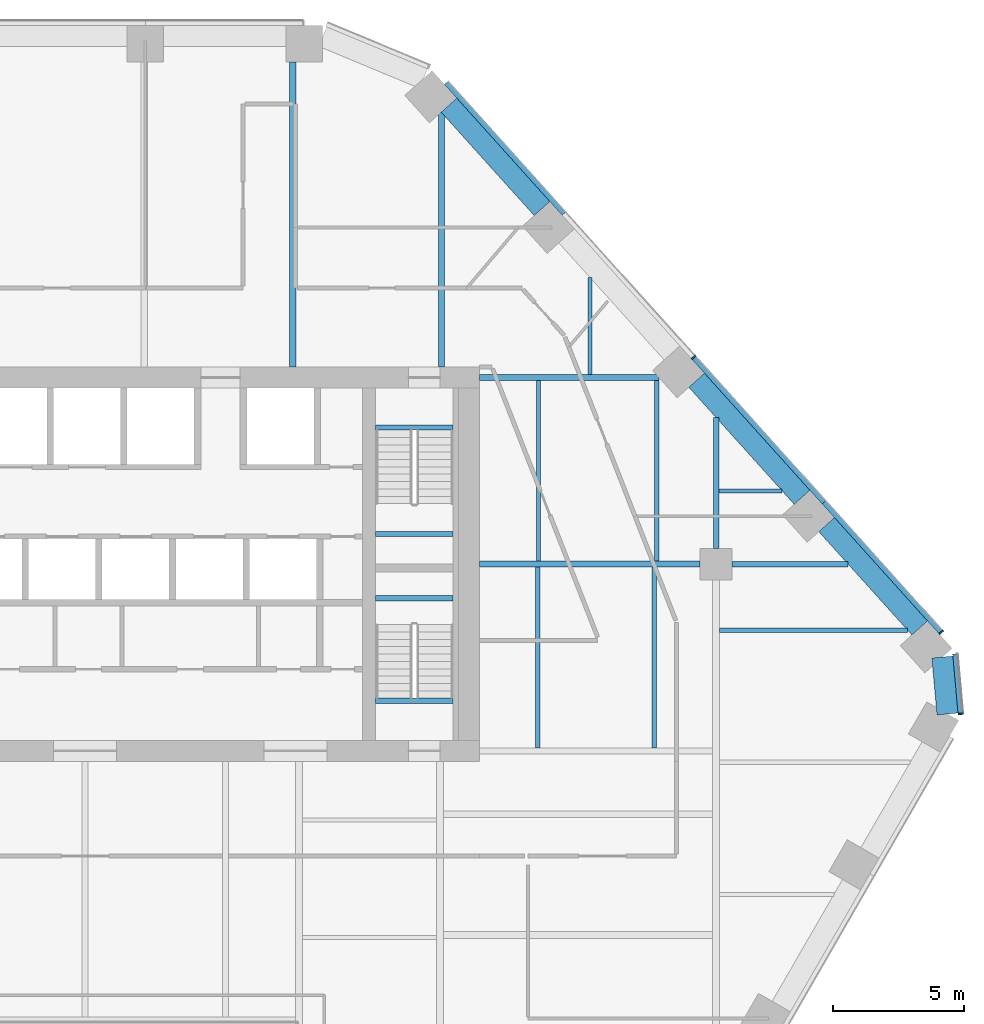
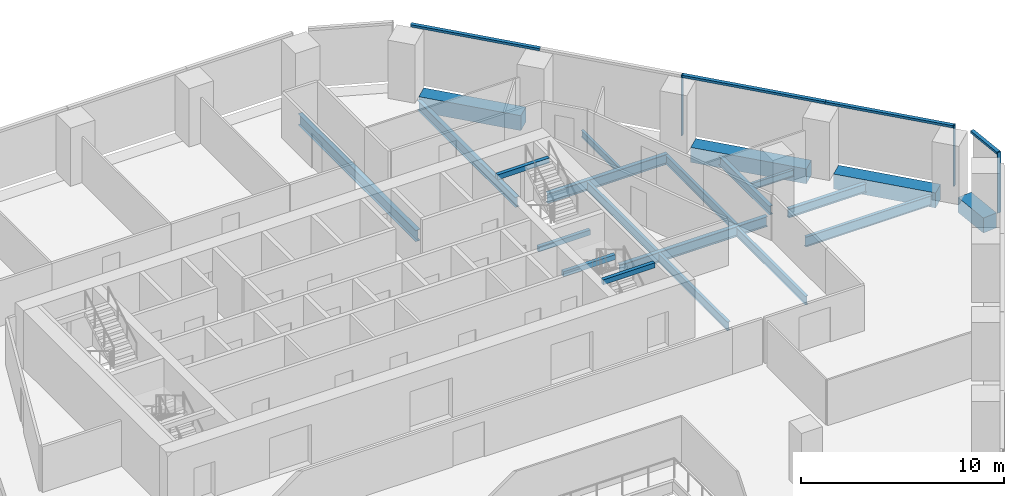
# One storey, part 8 of 16: 21 beams, 7 members, 2 elements without a shape of their own.
"""IFC4 building model written with IfcOpenShell, lengths in metres."""

from ifc_helpers import new_model, si_unit, direction, frame, origin, origin_2d, place, context, subcontext, project, spatial, rectangle, i_section, extrude, material, layer, layer_set, material_profile, profile_set, type_object, element, aggregate, save


model = new_model("IFC4")

# Units and contexts
model_context = context("Model", 3, precision=1e-05, world=origin(), true_north=direction((0.0, 1.0)))
body_context = subcontext(model_context, "Body", "Model", "MODEL_VIEW")
ifc_project = project(units=[si_unit("LENGTHUNIT", "METRE"), si_unit("AREAUNIT", "SQUARE_METRE"), si_unit("VOLUMEUNIT", "CUBIC_METRE"), si_unit("PLANEANGLEUNIT", "RADIAN"), si_unit("MASSUNIT", "GRAM", prefix="KILO")], contexts=[model_context])

# Site, building, storey
site_placement = place(None, origin())
site = spatial("IfcSite", under=ifc_project, at=site_placement, CompositionType="ELEMENT")
building_placement = place(site_placement, origin())
building = spatial("IfcBuilding", under=site, at=building_placement, Name="Isthmus Gate Tower", CompositionType="ELEMENT")
storey_placement = place(building_placement, frame((0.0, 0.0, 133.449951171875)))
storey = spatial("IfcBuildingStorey", under=building, at=storey_placement, Name="L32", CompositionType="ELEMENT", Elevation=133.449951171875)

# Curtain wall, member
ifc_material_1 = material(Name="Aluminium, pale champagne anodised", Category="aluminium")
ifc_layer = layer(ifc_material_1, 0.199951171875)
ifc_layer_set = layer_set([ifc_layer], Name="CW-1 UNITISED CURTAIN WALL 200 DEEP")
curtain_wall_type = type_object("IfcCurtainWallType", Name="CW-1 UNITISED CURTAIN WALL 200 DEEP", PredefinedType="NOTDEFINED", material=ifc_layer_set)
curtain_wall_1_placement = place(storey_placement, origin())
curtain_wall_1 = element("IfcCurtainWall", 1, at=curtain_wall_1_placement, inside=storey, type_object=curtain_wall_type, Name="CW-1 SE-NE L32", PredefinedType="NOTDEFINED")
ifc_material_2 = material(Name="Aluminium, pale champagne anodised", Category="aluminium")
ifc_material_profile_1 = material_profile(ifc_material_2, rectangle(XDim=0.06005859375, YDim=0.199951171875, at=origin_2d()), Name="60x200")
ifc_profile_set_1 = profile_set([ifc_material_profile_1], Name="Aluminium, pale champagne anodised")
member_type_1 = type_object("IfcMemberType", Name="CW-1 MULLION 60 X 200", PredefinedType="MULLION", material=ifc_profile_set_1)
member_1_placement = place(storey_placement, frame((33.307861328125, 1.804443359375, 0.0), z_axis=(0.0, 0.0, 1.0), x_axis=(-0.089396669717, 0.995996102123, 0.0)))
member_1 = element("IfcMember", 2, at=member_1_placement, type_object=member_type_1, Name="CW-1 mullion", PredefinedType="MULLION", context=body_context, shape_type="SweptSolid", body=[
    extrude(rectangle(XDim=0.06005859375, YDim=0.199951171875, at=origin_2d()), origin(), (0.0, 0.0, 1.0), 3.650146484375),
])

# Curtain wall, members
curtain_wall_2_placement = place(storey_placement, origin())
curtain_wall_2 = element("IfcCurtainWall", 3, at=curtain_wall_2_placement, inside=storey, type_object=curtain_wall_type, Name="CW-1 NE L32", PredefinedType="NOTDEFINED")
member_2_placement = place(storey_placement, frame((32.5693359375, 4.908447265625, 0.0), z_axis=(0.0, 0.0, 1.0), x_axis=(-0.669130606359, 0.743144825477, 0.0)))
member_2 = element("IfcMember", 4, at=member_2_placement, type_object=member_type_1, Name="CW-1 mullion", PredefinedType="MULLION", context=body_context, shape_type="SweptSolid", body=[
    extrude(rectangle(XDim=0.06005859375, YDim=0.199951171875, at=origin_2d()), origin(), (0.0, 0.0, 1.0), 3.650146484375),
])
member_3_placement = place(storey_placement, frame((23.14697265625, 15.373046875, 0.0), z_axis=(0.0, 0.0, 1.0), x_axis=(-0.669130606359, 0.743144825477, 0.0)))
member_3 = element("IfcMember", 5, at=member_3_placement, type_object=member_type_1, Name="CW-1 mullion", PredefinedType="MULLION", context=body_context, shape_type="SweptSolid", body=[
    extrude(rectangle(XDim=0.06005859375, YDim=0.199951171875, at=origin_2d()), origin(), (0.0, 0.0, 1.0), 3.650146484375),
])

# Member
ifc_material_3 = material(Name="Aluminium, pale champagne anodised", Category="aluminium")
ifc_material_profile_2 = material_profile(ifc_material_3, rectangle(XDim=0.199951171875, YDim=0.139892578125, at=origin_2d()), Name="200x140")
ifc_profile_set_2 = profile_set([ifc_material_profile_2], Name="Aluminium, pale champagne anodised")
member_type_2 = type_object("IfcMemberType", Name="CW-1 TRANSOM 200 X 140", PredefinedType="USERDEFINED", material=ifc_profile_set_2)
member_4_placement = place(storey_placement, frame((33.30517578125, 1.83447265625, 3.580078125), z_axis=(-0.089395362867, 0.995996219419, 0.0), x_axis=(-0.995996219419, -0.089395362867, 0.0)))
member_4 = element("IfcMember", 6, at=member_4_placement, type_object=member_type_2, Name="CW-1 transom", ObjectType="TRANSOM", PredefinedType="USERDEFINED", context=body_context, shape_type="SweptSolid", body=[
    extrude(rectangle(XDim=0.199951171875, YDim=0.139892578125, at=origin_2d()), origin(), (0.0, 0.0, 1.0), 2.258544921875),
])

aggregate(curtain_wall_1, [member_1, member_4])

member_5_placement = place(storey_placement, frame((32.54931640625, 4.930908203125, 3.580078125), z_axis=(-0.669153891975, 0.743123858354, 0.0), x_axis=(-0.743123858354, -0.669153891975, 0.0)))
member_5 = element("IfcMember", 7, at=member_5_placement, type_object=member_type_2, Name="CW-1 transom", ObjectType="TRANSOM", PredefinedType="USERDEFINED", context=body_context, shape_type="SweptSolid", body=[
    extrude(rectangle(XDim=0.199951171875, YDim=0.139892578125, at=origin_2d()), origin(), (0.0, 0.0, 1.0), 6.630859375),
])

member_6_placement = place(storey_placement, frame((28.1123046875, 9.8583984375, 3.580078125), z_axis=(-0.669123495435, 0.74315122812, 0.0), x_axis=(-0.74315122812, -0.669123495435, 0.0)))
member_6 = element("IfcMember", 8, at=member_6_placement, type_object=member_type_2, Name="CW-1 transom", ObjectType="TRANSOM", PredefinedType="USERDEFINED", context=body_context, shape_type="SweptSolid", body=[
    extrude(rectangle(XDim=0.199951171875, YDim=0.139892578125, at=origin_2d()), origin(), (0.0, 0.0, 1.0), 7.390625),
])

member_7_placement = place(storey_placement, frame((18.221435546875, 20.84326171875, 3.580078125), z_axis=(-0.669117935274, 0.743156234378, 0.0), x_axis=(-0.743156234378, -0.669117935274, 0.0)))
member_7 = element("IfcMember", 9, at=member_7_placement, type_object=member_type_2, Name="CW-1 transom", ObjectType="TRANSOM", PredefinedType="USERDEFINED", context=body_context, shape_type="SweptSolid", body=[
    extrude(rectangle(XDim=0.199951171875, YDim=0.139892578125, at=origin_2d()), origin(), (0.0, 0.0, 1.0), 6.690673828125),
])

aggregate(curtain_wall_2, [member_2, member_5, member_6, member_3, member_7])

# Beams
ifc_material_4 = material(Name="Concrete f'c 60 MPa", Category="concrete")
ifc_material_profile_3 = material_profile(ifc_material_4, rectangle(XDim=0.800048828125, YDim=0.89990234375, at=origin_2d()), Name="RC 800X900")
ifc_profile_set_3 = profile_set([ifc_material_profile_3], Name="Concrete f'c 60 MPa")
beam_type_1 = type_object("IfcBeamType", Name="RC SPANDREL 800 X 900", PredefinedType="SPANDREL", material=ifc_profile_set_3)
beam_1_placement = place(storey_placement, frame((13.84130859375, 24.960693359375, -0.449951171875), z_axis=(0.669153370522, -0.743124327901, 0.0), x_axis=(0.743124327901, 0.669153370522, 0.0)))
element("IfcBeam", 10, at=beam_1_placement, inside=storey, type_object=beam_type_1, Name="str-spandrel-L32-01", PredefinedType="SPANDREL", context=body_context, shape_type="SweptSolid", body=[
    extrude(rectangle(XDim=0.800048828125, YDim=0.89990234375, at=origin_2d()), origin(), (0.0, 0.0, 1.0), 5.290771484375),
])
beam_2_placement = place(storey_placement, frame((23.263671875, 14.49609375, -0.449951171875), z_axis=(0.669156088603, -0.74312188037, 0.0), x_axis=(0.74312188037, 0.669156088603, 0.0)))
element("IfcBeam", 11, at=beam_2_placement, inside=storey, type_object=beam_type_1, Name="str-spandrel-L32-03", PredefinedType="SPANDREL", context=body_context, shape_type="SweptSolid", body=[
    extrude(rectangle(XDim=0.800048828125, YDim=0.89990234375, at=origin_2d()), origin(), (0.0, 0.0, 1.0), 5.99072265625),
])
beam_3_placement = place(storey_placement, frame((28.209228515625, 9.003662109375, -0.449951171875), z_axis=(0.669130424574, -0.743144989157, 0.0), x_axis=(0.743144989157, 0.669130424574, 0.0)))
element("IfcBeam", 12, at=beam_3_placement, inside=storey, type_object=beam_type_1, Name="str-spandrel-L32-04", PredefinedType="SPANDREL", context=body_context, shape_type="SweptSolid", body=[
    extrude(rectangle(XDim=0.800048828125, YDim=0.89990234375, at=origin_2d()), origin(), (0.0, 0.0, 1.0), 5.290771484375),
])
beam_4_placement = place(storey_placement, frame((32.61181640625, 3.964599609375, -0.449951171875), z_axis=(0.089421511639, -0.995993872098, 0.0), x_axis=(0.995993872098, 0.089421511639, 0.0)))
element("IfcBeam", 13, at=beam_4_placement, inside=storey, type_object=beam_type_1, Name="str-spandrel-L32-05", PredefinedType="SPANDREL", context=body_context, shape_type="SweptSolid", body=[
    extrude(rectangle(XDim=0.800048828125, YDim=0.89990234375, at=origin_2d()), origin(), (0.0, 0.0, 1.0), 2.17333984375),
])
ifc_material_5 = material(Name="Concrete f'c 40 MPa", Category="concrete")
ifc_material_profile_4 = material_profile(ifc_material_5, rectangle(XDim=0.199951171875, YDim=0.300048828125, at=origin_2d()), Name="STAIR LANDING BEAM RC 200 X 300")
ifc_profile_set_4 = profile_set([ifc_material_profile_4], Name="Concrete f'c 40 MPa")
beam_type_2 = type_object("IfcBeamType", Name="STAIR LANDING BEAM RC 200 X 300", PredefinedType="BEAM", material=ifc_profile_set_4)
for number, where, z_axis, x_axis, name in (
    (14, (11.050048828125, 8.64990234375, 1.47509765625), (1.0, 0.0, 0.0), (0.0, 1.0, 0.0), "L32 ST2 landing beam 1"),
    (15, (11.050048828125, 12.7001953125, 3.35009765625), (1.0, 0.0, 0.0), (0.0, 1.0, 0.0), "L32 ST2 floor-edge seat beam"),
    (16, (11.050048828125, 6.199951171875, 1.47509765625), (1.0, 0.0, 0.0), (0.0, 1.0, 0.0), "L32 ST8 landing beam 1"),
    (17, (11.050048828125, 2.2998046875, 3.35009765625), (1.0, 0.0, 0.0), (0.0, 1.0, 0.0), "L32 ST8 floor-edge seat beam"),
):
    element("IfcBeam", number, at=place(storey_placement, frame(where, z_axis=z_axis, x_axis=x_axis)), inside=storey, type_object=beam_type_2, Name=name, PredefinedType="BEAM", context=body_context, shape_type="SweptSolid", body=[
        extrude(rectangle(XDim=0.199951171875, YDim=0.300048828125, at=origin_2d()), origin(), (0.0, 0.0, 1.0), 2.949951171875),
    ])
ifc_material_6 = material(Name="Structural steel ASTM A992 Gr 50", Category="steel")
ifc_material_profile_5 = material_profile(ifc_material_6, i_section(OverallWidth=0.1396484375, OverallDepth=0.4033203125, WebThickness=0.00634765625, FlangeThickness=0.010986328125, at=origin_2d()), Name="W16X31")
ifc_profile_set_5 = profile_set([ifc_material_profile_5], Name="Structural steel ASTM A992 Gr 50")
beam_type_3 = type_object("IfcBeamType", Name="STEEL FLOOR BEAM W16X31", PredefinedType="JOIST", material=ifc_profile_set_5)
beam_5_placement = place(storey_placement, frame((19.204345703125, 14.71435546875, -0.3515625), z_axis=(0.0, 1.0, 0.0), x_axis=(-1.0, 0.0, 0.0)))
element("IfcBeam", 18, at=beam_5_placement, inside=storey, type_object=beam_type_3, Name="str-beam-L32-05-07", PredefinedType="JOIST", context=body_context, shape_type="SweptSolid", body=[
    extrude(i_section(OverallWidth=0.1396484375, OverallDepth=0.4033203125, WebThickness=0.00634765625, FlangeThickness=0.010986328125, at=origin_2d()), origin(), (0.0, 0.0, 1.0), 3.6923828125),
])
beam_6_placement = place(storey_placement, frame((24.104736328125, 10.284423828125, -0.3515625), z_axis=(1.0, 0.0, 0.0), x_axis=(0.0, 1.0, 0.0)))
element("IfcBeam", 19, at=beam_6_placement, inside=storey, type_object=beam_type_3, Name="str-beam-L32-15-00", PredefinedType="JOIST", context=body_context, shape_type="SweptSolid", body=[
    extrude(i_section(OverallWidth=0.1396484375, OverallDepth=0.4033203125, WebThickness=0.00634765625, FlangeThickness=0.010986328125, at=origin_2d()), origin(), (0.0, 0.0, 1.0), 2.412841796875),
])
ifc_material_7 = material(Name="Structural steel ASTM A992 Gr 50", Category="steel")
ifc_material_profile_6 = material_profile(ifc_material_7, i_section(OverallWidth=0.1650390625, OverallDepth=0.52392578125, WebThickness=0.009521484375, FlangeThickness=0.010986328125, at=origin_2d()), Name="W21X44")
ifc_profile_set_6 = profile_set([ifc_material_profile_6], Name="Structural steel ASTM A992 Gr 50")
beam_type_4 = type_object("IfcBeamType", Name="STEEL FLOOR BEAM W21X44", PredefinedType="JOIST", material=ifc_profile_set_6)
for number, where, z_axis, x_axis, name in (
    (20, (17.25, 7.6142578125, -0.411865234375), (0.0, 1.0, 0.0), (-1.0, 0.0, 0.0), "str-beam-L32-13-00"),
    (21, (21.75, 7.6142578125, -0.411865234375), (0.0, 1.0, 0.0), (-1.0, 0.0, 0.0), "str-beam-L32-13-01"),
    (22, (17.216552734375, 0.514404296875, -0.411865234375), (0.0, 1.0, 0.0), (-1.0, 0.0, 0.0), "str-beam-L32-14-00"),
    (23, (21.64990234375, 0.514404296875, -0.411865234375), (0.0, 1.0, 0.0), (-1.0, 0.0, 0.0), "str-beam-L32-14-01"),
):
    element("IfcBeam", number, at=place(storey_placement, frame(where, z_axis=z_axis, x_axis=x_axis)), inside=storey, type_object=beam_type_4, Name=name, PredefinedType="JOIST", context=body_context, shape_type="SweptSolid", body=[
        extrude(i_section(OverallWidth=0.1650390625, OverallDepth=0.52392578125, WebThickness=0.009521484375, FlangeThickness=0.010986328125, at=origin_2d()), origin(), (0.0, 0.0, 1.0), 6.871337890625),
    ])
ifc_material_8 = material(Name="Structural steel ASTM A992 Gr 50", Category="steel")
ifc_material_profile_7 = material_profile(ifc_material_8, i_section(OverallWidth=0.177734375, OverallDepth=0.60009765625, WebThickness=0.009521484375, FlangeThickness=0.0126953125, at=origin_2d()), Name="W24X55")
ifc_profile_set_7 = profile_set([ifc_material_profile_7], Name="Structural steel ASTM A992 Gr 50")
beam_type_5 = type_object("IfcBeamType", Name="STEEL FLOOR BEAM W24X55", PredefinedType="JOIST", material=ifc_profile_set_7)
beam_7_placement = place(storey_placement, frame((24.13330078125, 4.987548828125, -0.449951171875), z_axis=(1.0, 0.0, 0.0), x_axis=(0.0, 1.0, 0.0)))
element("IfcBeam", 24, at=beam_7_placement, inside=storey, type_object=beam_type_5, Name="str-beam-L32-16-02", PredefinedType="JOIST", context=body_context, shape_type="SweptSolid", body=[
    extrude(i_section(OverallWidth=0.177734375, OverallDepth=0.60009765625, WebThickness=0.009521484375, FlangeThickness=0.0126953125, at=origin_2d()), origin(), (0.0, 0.0, 1.0), 7.15380859375),
])
ifc_material_9 = material(Name="Structural steel ASTM A992 Gr 50", Category="steel")
ifc_material_profile_8 = material_profile(ifc_material_9, i_section(OverallWidth=0.228515625, OverallDepth=0.603271484375, WebThickness=0.010986328125, FlangeThickness=0.014404296875, at=origin_2d()), Name="W24X68")
ifc_profile_set_8 = profile_set([ifc_material_profile_8], Name="Structural steel ASTM A992 Gr 50")
beam_type_6 = type_object("IfcBeamType", Name="STEEL FLOOR BEAM W24X68", PredefinedType="JOIST", material=ifc_profile_set_8)
beam_8_placement = place(storey_placement, frame((13.5537109375, 15.0, -0.45166015625), z_axis=(0.0, 1.0, 0.0), x_axis=(-1.0, 0.0, 0.0)))
element("IfcBeam", 25, at=beam_8_placement, inside=storey, type_object=beam_type_6, Name="str-beam-L32-05-06", PredefinedType="JOIST", context=body_context, shape_type="SweptSolid", body=[
    extrude(i_section(OverallWidth=0.228515625, OverallDepth=0.603271484375, WebThickness=0.010986328125, FlangeThickness=0.014404296875, at=origin_2d()), origin(), (0.0, 0.0, 1.0), 9.682373046875),
])
ifc_material_10 = material(Name="Structural steel ASTM A992 Gr 50", Category="steel")
ifc_material_profile_9 = material_profile(ifc_material_10, i_section(OverallWidth=0.25390625, OverallDepth=0.679443359375, WebThickness=0.010986328125, FlangeThickness=0.015869140625, at=origin_2d()), Name="W27X84")
ifc_profile_set_9 = profile_set([ifc_material_profile_9], Name="Structural steel ASTM A992 Gr 50")
beam_type_7 = type_object("IfcBeamType", Name="STEEL FLOOR BEAM W27X84", PredefinedType="JOIST", material=ifc_profile_set_9)
beam_9_placement = place(storey_placement, frame((7.903076171875, 15.0, -0.48974609375), z_axis=(0.0, 1.0, 0.0), x_axis=(-1.0, 0.0, 0.0)))
element("IfcBeam", 26, at=beam_9_placement, inside=storey, type_object=beam_type_7, Name="str-beam-L32-05-05", PredefinedType="JOIST", context=body_context, shape_type="SweptSolid", body=[
    extrude(i_section(OverallWidth=0.25390625, OverallDepth=0.679443359375, WebThickness=0.010986328125, FlangeThickness=0.015869140625, at=origin_2d()), origin(), (0.0, 0.0, 1.0), 11.60009765625),
])
ifc_material_11 = material(Name="Structural steel ASTM A992 Gr 50", Category="steel")
ifc_material_profile_10 = material_profile(ifc_material_11, i_section(OverallWidth=0.20947265625, OverallDepth=0.533447265625, WebThickness=0.009521484375, FlangeThickness=0.015869140625, at=origin_2d()), Name="W21X62")
ifc_profile_set_10 = profile_set([ifc_material_profile_10], Name="Structural steel ASTM A992 Gr 50")
beam_type_8 = type_object("IfcBeamType", Name="STEEL GIRDER W21X62", PredefinedType="BEAM", material=ifc_profile_set_10)
beam_10_placement = place(storey_placement, frame((24.60009765625, 7.5, -0.416748046875), z_axis=(1.0, 0.0, 0.0), x_axis=(0.0, 1.0, 0.0)))
element("IfcBeam", 27, at=beam_10_placement, inside=storey, type_object=beam_type_8, Name="str-girder-L32-06", PredefinedType="BEAM", context=body_context, shape_type="SweptSolid", body=[
    extrude(i_section(OverallWidth=0.20947265625, OverallDepth=0.533447265625, WebThickness=0.009521484375, FlangeThickness=0.015869140625, at=origin_2d()), origin(), (0.0, 0.0, 1.0), 4.4248046875),
])
beam_11_placement = place(storey_placement, frame((24.0, 8.10009765625, -0.416748046875), z_axis=(0.0, 1.0, 0.0), x_axis=(-1.0, 0.0, 0.0)))
element("IfcBeam", 28, at=beam_11_placement, inside=storey, type_object=beam_type_8, Name="str-girder-L32-12", PredefinedType="BEAM", context=body_context, shape_type="SweptSolid", body=[
    extrude(i_section(OverallWidth=0.20947265625, OverallDepth=0.533447265625, WebThickness=0.009521484375, FlangeThickness=0.015869140625, at=origin_2d()), origin(), (0.0, 0.0, 1.0), 4.98046875),
])
ifc_material_12 = material(Name="Structural steel ASTM A992 Gr 50", Category="steel")
ifc_material_profile_11 = material_profile(ifc_material_12, i_section(OverallWidth=0.228515625, OverallDepth=0.603271484375, WebThickness=0.010986328125, FlangeThickness=0.014404296875, at=origin_2d()), Name="W24X68")
ifc_profile_set_11 = profile_set([ifc_material_profile_11], Name="Structural steel ASTM A992 Gr 50")
beam_type_9 = type_object("IfcBeamType", Name="STEEL GIRDER W24X68", PredefinedType="BEAM", material=ifc_profile_set_11)
beam_12_placement = place(storey_placement, frame((15.0, 14.60009765625, -0.45166015625), z_axis=(1.0, 0.0, 0.0), x_axis=(0.0, 1.0, 0.0)))
element("IfcBeam", 29, at=beam_12_placement, inside=storey, type_object=beam_type_9, Name="str-girder-L32-16", PredefinedType="BEAM", context=body_context, shape_type="SweptSolid", body=[
    extrude(i_section(OverallWidth=0.228515625, OverallDepth=0.603271484375, WebThickness=0.010986328125, FlangeThickness=0.014404296875, at=origin_2d()), origin(), (0.0, 0.0, 1.0), 6.824462890625),
])
ifc_material_13 = material(Name="Structural steel ASTM A992 Gr 50", Category="steel")
ifc_material_profile_12 = material_profile(ifc_material_13, i_section(OverallWidth=0.228515625, OverallDepth=0.6064453125, WebThickness=0.010986328125, FlangeThickness=0.017578125, at=origin_2d()), Name="W24X76")
ifc_profile_set_12 = profile_set([ifc_material_profile_12], Name="Structural steel ASTM A992 Gr 50")
beam_type_10 = type_object("IfcBeamType", Name="STEEL GIRDER W24X76", PredefinedType="BEAM", material=ifc_profile_set_12)
beam_13_placement = place(storey_placement, frame((15.0, 7.5, -0.453125), z_axis=(1.0, 0.0, 0.0), x_axis=(0.0, 1.0, 0.0)))
element("IfcBeam", 30, at=beam_13_placement, inside=storey, type_object=beam_type_10, Name="str-girder-L32-05", PredefinedType="BEAM", context=body_context, shape_type="SweptSolid", body=[
    extrude(i_section(OverallWidth=0.228515625, OverallDepth=0.6064453125, WebThickness=0.010986328125, FlangeThickness=0.017578125, at=origin_2d()), origin(), (0.0, 0.0, 1.0), 8.39990234375),
])

save(model, "model.ifc")
